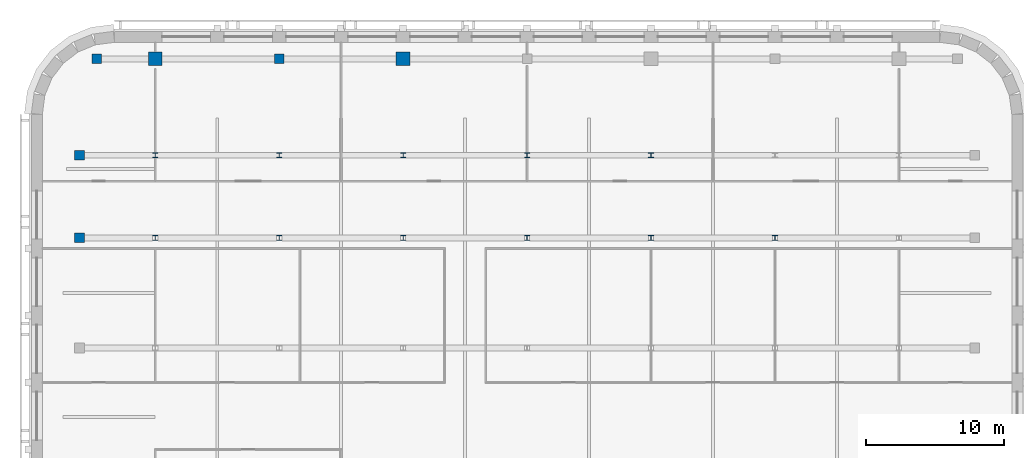
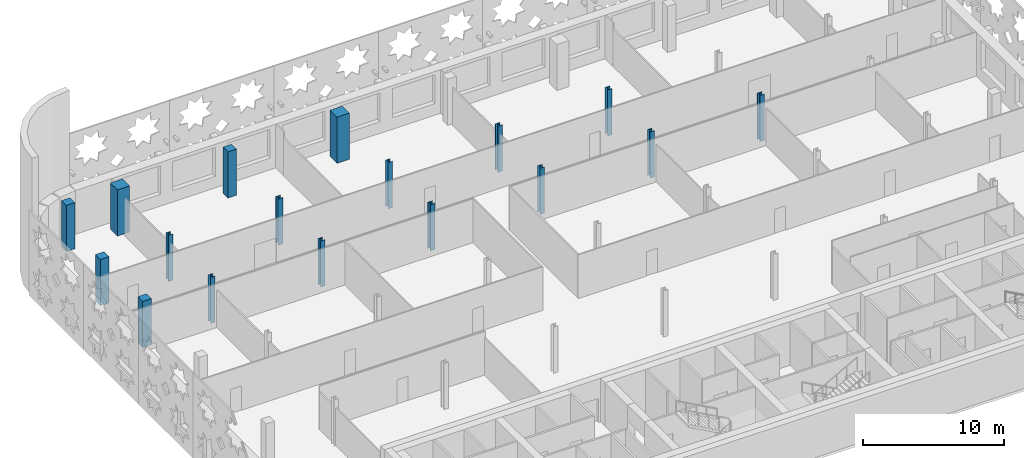
# One storey, part 3 of 16: 17 columns.
"""IFC4 building model written with IfcOpenShell, lengths in metres."""

from ifc_helpers import new_model, si_unit, direction, frame, origin, origin_2d, place, context, subcontext, project, spatial, rectangle, i_section, extrude, material, material_profile, profile_set, type_object, element, save


model = new_model("IFC4")

# Units and contexts
model_context = context("Model", 3, precision=1e-05, world=origin(), true_north=direction((0.0, 1.0)))
body_context = subcontext(model_context, "Body", "Model", "MODEL_VIEW")
ifc_project = project(units=[si_unit("LENGTHUNIT", "METRE"), si_unit("AREAUNIT", "SQUARE_METRE"), si_unit("VOLUMEUNIT", "CUBIC_METRE"), si_unit("PLANEANGLEUNIT", "RADIAN"), si_unit("MASSUNIT", "GRAM", prefix="KILO")], contexts=[model_context])

# Site, building, storey
site_placement = place(None, origin())
site = spatial("IfcSite", under=ifc_project, at=site_placement, CompositionType="ELEMENT")
building_placement = place(site_placement, origin())
building = spatial("IfcBuilding", under=site, at=building_placement, Name="Zellij Exchange Tower", CompositionType="ELEMENT")
storey_placement = place(building_placement, frame((0.0, 0.0, 272.5)))
storey = spatial("IfcBuildingStorey", under=building, at=storey_placement, Name="L64", CompositionType="ELEMENT", Elevation=272.5)

# Columns
ifc_material_1 = material(Name="Concrete C50/60", Category="concrete")
ifc_material_profile_1 = material_profile(ifc_material_1, rectangle(XDim=0.699951171875, YDim=0.699951171875, at=origin_2d()), Name="STR-COLUMN RC700x700 C50/60")
ifc_profile_set_1 = profile_set([ifc_material_profile_1], Name="Concrete C50/60")
column_type_1 = type_object("IfcColumnType", Name="STR-COLUMN RC700x700 C50/60", PredefinedType="COLUMN", material=ifc_profile_set_1)
for number, where, z_axis, x_axis, name in (
    (1, (-32.5, 22.0, 0.0), (0.0, 0.0, 1.0), (1.0, 0.0, 0.0), "C14"),
    (2, (-32.5, 28.0, 0.0), (0.0, 0.0, 1.0), (1.0, 0.0, 0.0), "C14"),
    (3, (-31.25, 35.0, 0.0), (0.0, 0.0, 1.0), (1.0, 0.0, 0.0), "C14"),
    (4, (-18.0, 35.0, 0.0), (0.0, 0.0, 1.0), (1.0, 0.0, 0.0), "C14"),
):
    element("IfcColumn", number, at=place(storey_placement, frame(where, z_axis=z_axis, x_axis=x_axis)), inside=storey, type_object=column_type_1, Name=name, PredefinedType="COLUMN", context=body_context, shape_type="SweptSolid", body=[
        extrude(rectangle(XDim=0.699951171875, YDim=0.699951171875, at=origin_2d()), origin(), (0.0, 0.0, 1.0), 4.0),
    ])
ifc_material_2 = material(Name="Structural steel ASTM A992 Gr 50", Category="steel")
ifc_material_profile_2 = material_profile(ifc_material_2, i_section(OverallWidth=0.373291015625, OverallDepth=0.373291015625, WebThickness=0.016357421875, FlangeThickness=0.026123046875, at=origin_2d()), Name="W14x132")
ifc_profile_set_2 = profile_set([ifc_material_profile_2], Name="Structural steel ASTM A992 Gr 50")
column_type_2 = type_object("IfcColumnType", Name="STR-COLUMN W14x132", PredefinedType="COLUMN", material=ifc_profile_set_2)
for number, where, z_axis, x_axis, name in (
    (5, (-27.0, 22.0, 0.0), (0.0, 0.0, 1.0), (1.0, 0.0, 0.0), "C1"),
    (6, (-18.0, 22.0, 0.0), (0.0, 0.0, 1.0), (1.0, 0.0, 0.0), "C1"),
    (7, (-9.0, 22.0, 0.0), (0.0, 0.0, 1.0), (1.0, 0.0, 0.0), "C1"),
    (8, (0.0, 22.0, 0.0), (0.0, 0.0, 1.0), (1.0, 0.0, 0.0), "C1"),
    (9, (9.0, 22.0, 0.0), (0.0, 0.0, 1.0), (1.0, 0.0, 0.0), "C1"),
    (10, (18.0, 22.0, 0.0), (0.0, 0.0, 1.0), (1.0, 0.0, 0.0), "C1"),
    (11, (-27.0, 28.0, 0.0), (0.0, 0.0, 1.0), (1.0, 0.0, 0.0), "C1"),
    (12, (-18.0, 28.0, 0.0), (0.0, 0.0, 1.0), (1.0, 0.0, 0.0), "C1"),
    (13, (-9.0, 28.0, 0.0), (0.0, 0.0, 1.0), (1.0, 0.0, 0.0), "C1"),
    (14, (0.0, 28.0, 0.0), (0.0, 0.0, 1.0), (1.0, 0.0, 0.0), "C1"),
    (15, (9.0, 28.0, 0.0), (0.0, 0.0, 1.0), (1.0, 0.0, 0.0), "C1"),
):
    element("IfcColumn", number, at=place(storey_placement, frame(where, z_axis=z_axis, x_axis=x_axis)), inside=storey, type_object=column_type_2, Name=name, PredefinedType="COLUMN", context=body_context, shape_type="SweptSolid", body=[
        extrude(i_section(OverallWidth=0.373291015625, OverallDepth=0.373291015625, WebThickness=0.016357421875, FlangeThickness=0.026123046875, at=origin_2d()), origin(), (0.0, 0.0, 1.0), 4.0),
    ])
ifc_material_profile_3 = material_profile(ifc_material_1, rectangle(XDim=1.0, YDim=1.0, at=origin_2d()), Name="STR-MEGA COLUMN RC1000x1000 C50/60")
ifc_profile_set_3 = profile_set([ifc_material_profile_3], Name="Concrete C50/60")
column_type_3 = type_object("IfcColumnType", Name="STR-MEGA COLUMN RC1000x1000 C50/60", PredefinedType="COLUMN", material=ifc_profile_set_3)
for number, where, z_axis, x_axis, name in (
    (16, (-27.0, 35.0, 0.0), (0.0, 0.0, 1.0), (1.0, 0.0, 0.0), "MC1"),
    (17, (-9.0, 35.0, 0.0), (0.0, 0.0, 1.0), (1.0, 0.0, 0.0), "MC1"),
):
    element("IfcColumn", number, at=place(storey_placement, frame(where, z_axis=z_axis, x_axis=x_axis)), inside=storey, type_object=column_type_3, Name=name, PredefinedType="COLUMN", context=body_context, shape_type="SweptSolid", body=[
        extrude(rectangle(XDim=1.0, YDim=1.0, at=origin_2d()), origin(), (0.0, 0.0, 1.0), 4.0),
    ])

save(model, "model.ifc")
